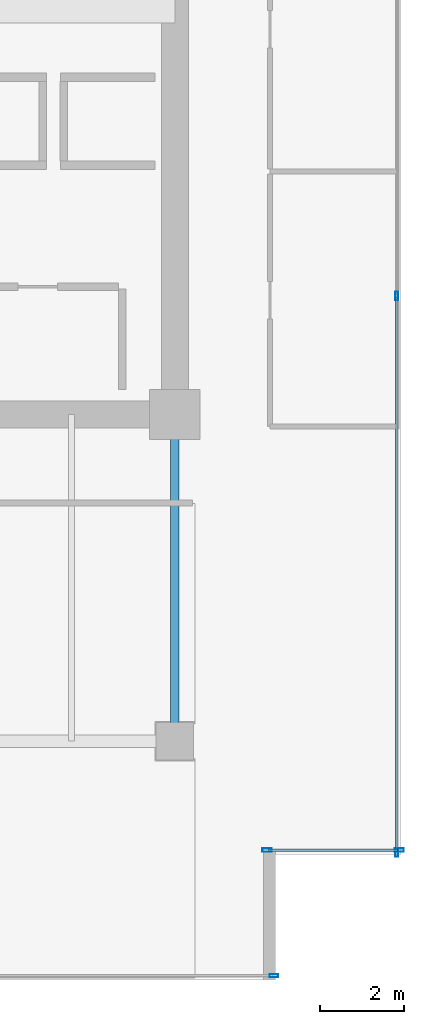
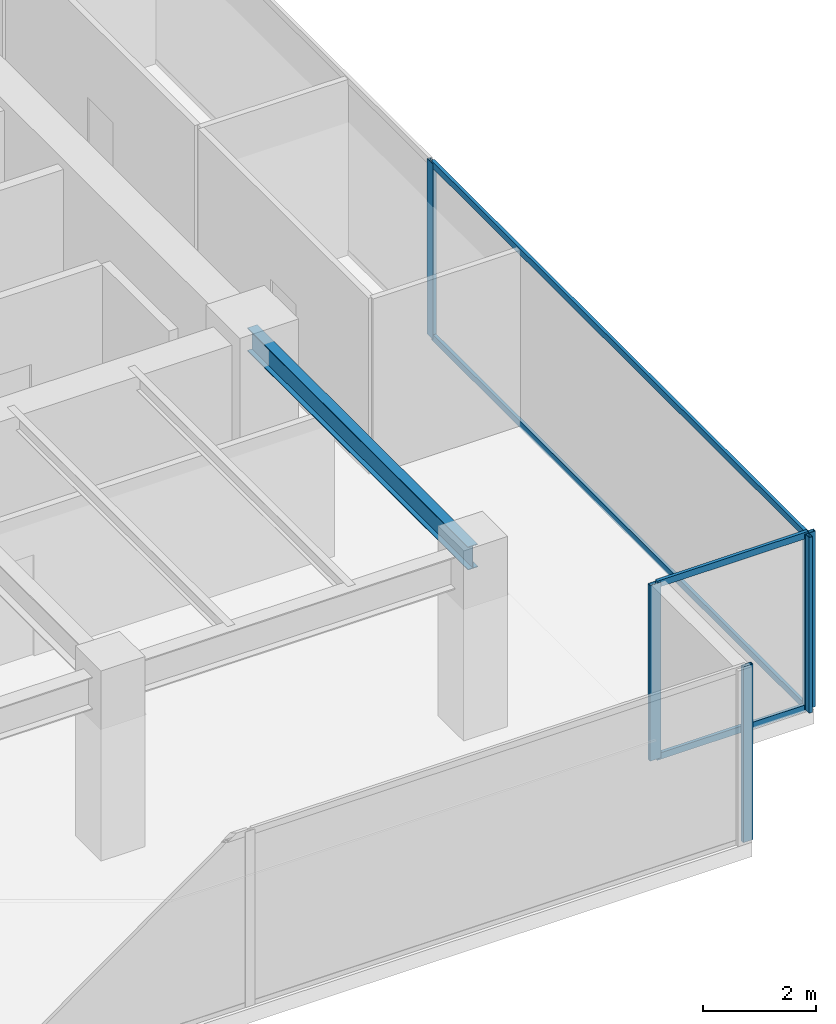
# One storey, part 21 of 33: 9 members, 1 beam, 3 elements without a shape of their own.
"""IFC4 building model written with IfcOpenShell, lengths in metres."""

from ifc_helpers import new_model, si_unit, direction, frame, origin, origin_2d, place, context, subcontext, project, spatial, hollow_rectangle, i_section, extrude, source, transform, mapped, material, layer, layer_set, material_profile, profile_set, type_object, type_shapes, element, aggregate, save


model = new_model("IFC4")

# Units and contexts
model_context = context("Model", 3, precision=1e-05, world=origin(), true_north=direction((0.0, 1.0)))
body_context = subcontext(model_context, "Body", "Model", "MODEL_VIEW")
ifc_project = project(units=[si_unit("LENGTHUNIT", "METRE"), si_unit("AREAUNIT", "SQUARE_METRE"), si_unit("VOLUMEUNIT", "CUBIC_METRE"), si_unit("PLANEANGLEUNIT", "RADIAN"), si_unit("MASSUNIT", "GRAM", prefix="KILO")], contexts=[model_context])

# Site, building, storey
site_placement = place(None, origin())
site = spatial("IfcSite", under=ifc_project, at=site_placement, CompositionType="ELEMENT")
building_placement = place(site_placement, origin())
building = spatial("IfcBuilding", under=site, at=building_placement, Name="Haelvirn Gate Laboratories", CompositionType="ELEMENT")
storey_placement = place(building_placement, frame((0.0, 0.0, 117.39990234375)))
storey = spatial("IfcBuildingStorey", under=building, at=storey_placement, Name="L28", CompositionType="ELEMENT", Elevation=117.39990234375)

# Beam
ifc_material_1 = material(Name="Steel SM355", Category="steel")
ifc_material_profile_1 = material_profile(ifc_material_1, i_section(OverallWidth=0.199951171875, OverallDepth=0.5, WebThickness=0.010009765625, FlangeThickness=0.01611328125, at=origin_2d()), Name="H-500x200x10x16")
ifc_profile_set_1 = profile_set([ifc_material_profile_1], Name="Steel SM355")
beam_type = type_object("IfcBeamType", Name="BM-SP-500", PredefinedType="SPANDREL", material=ifc_profile_set_1)
shared_shape_1 = source(origin(), body_context, "Body", "SweptSolid", [
    extrude(i_section(OverallWidth=0.199951171875, OverallDepth=0.5, WebThickness=0.010009765625, FlangeThickness=0.01611328125, at=origin_2d()), origin(), (0.0, 0.0, 1.0), 7.800048828125),
])
type_shapes(beam_type, [shared_shape_1])
beam_placement = place(storey_placement, frame((67.39990234375, 7.0, 3.5400390625), z_axis=(0.0, 1.0, 0.0), x_axis=(-1.0, 0.0, 0.0)))
element("IfcBeam", 1, at=beam_placement, inside=storey, type_object=beam_type, Name="L28 Perimeter Spandrel X67.4 (7.0-14.8)", PredefinedType="SPANDREL", context=body_context, shape_type="MappedRepresentation", body=[
    mapped(shared_shape_1, transform((0.0, 0.0, 0.0), scale=1.0)),
])

# Curtain wall, members
ifc_material_2 = material(Name="Anodised bronze unitised aluminium & triple low-E glass", Category="aluminium")
ifc_layer_1 = layer(ifc_material_2, 0.181884765625, Name="CW-SYS-5")
ifc_layer_set_1 = layer_set([ifc_layer_1], Name="Anodised bronze unitised aluminium & triple low-E glass")
curtain_wall_type_1 = type_object("IfcCurtainWallType", Name="CW-SYS-5", PredefinedType="NOTDEFINED", material=ifc_layer_set_1)
curtain_wall_1_placement = place(storey_placement, origin())
curtain_wall_1 = element("IfcCurtainWall", 2, at=curtain_wall_1_placement, inside=storey, type_object=curtain_wall_type_1, Name="L28 Unitised Curtain Wall CW-L28-P0-E06-1", PredefinedType="NOTDEFINED")
ifc_material_3 = material(Name="Extruded aluminium 6063-T6 (anodised bronze)", Category="aluminium")
ifc_material_profile_2 = material_profile(ifc_material_3, hollow_rectangle(XDim=0.06494140625, YDim=0.139892578125, WallThickness=0.00390625, at=origin_2d()), Name="CWT-140x65x4")
ifc_profile_set_2 = profile_set([ifc_material_profile_2], Name="Extruded aluminium 6063-T6 (anodised bronze)")
member_type_1 = type_object("IfcMemberType", Name="CWT-T140", PredefinedType="USERDEFINED", material=ifc_profile_set_2)
shared_shape_2 = source(origin(), body_context, "Body", "SweptSolid", [
    extrude(hollow_rectangle(XDim=0.06494140625, YDim=0.139892578125, WallThickness=0.00390625, at=origin_2d()), origin(), (0.0, 0.0, 1.0), 3.080078125),
])
member_1_placement = place(storey_placement, frame((69.639892578125, 4.39990234375, 0.03271484375), z_axis=(1.0, 0.0, 0.0), x_axis=(0.0, 1.0, 0.0)))
member_1 = element("IfcMember", 3, at=member_1_placement, type_object=member_type_1, Name="CW5 transom 1.1", ObjectType="TRANSOM", PredefinedType="USERDEFINED", context=body_context, shape_type="MappedRepresentation", body=[
    mapped(shared_shape_2, transform((0.0, 0.0, 0.0), scale=1.0)),
])
member_2_placement = place(storey_placement, frame((69.639892578125, 4.39990234375, 3.757568359375), z_axis=(1.0, 0.0, 0.0), x_axis=(0.0, 1.0, 0.0)))
member_2 = element("IfcMember", 4, at=member_2_placement, type_object=member_type_1, Name="CW5 transom 1.2", ObjectType="TRANSOM", PredefinedType="USERDEFINED", context=body_context, shape_type="MappedRepresentation", body=[
    mapped(shared_shape_2, transform((0.0, 0.0, 0.0), scale=1.0)),
])

ifc_layer_2 = layer(ifc_material_2, 0.179931640625, Name="CW-SYS-3")
ifc_layer_set_2 = layer_set([ifc_layer_2], Name="Anodised bronze unitised aluminium & triple low-E glass")
curtain_wall_type_2 = type_object("IfcCurtainWallType", Name="CW-SYS-3", PredefinedType="NOTDEFINED", material=ifc_layer_set_2)
curtain_wall_2_placement = place(storey_placement, origin())
curtain_wall_2 = element("IfcCurtainWall", 5, at=curtain_wall_2_placement, inside=storey, type_object=curtain_wall_type_2, Name="L28 Unitised Curtain Wall CW-L28-P0-E07", PredefinedType="NOTDEFINED")
shared_shape_3 = source(origin(), body_context, "Body", "SweptSolid", [
    extrude(hollow_rectangle(XDim=0.06494140625, YDim=0.139892578125, WallThickness=0.00390625, at=origin_2d()), origin(), (0.0, 0.0, 1.0), 13.220947265625),
])
type_shapes(member_type_1, [shared_shape_2, shared_shape_3])
member_3_placement = place(storey_placement, frame((72.699951171875, 4.375, 0.03271484375), z_axis=(0.0, 1.0, 0.0), x_axis=(-1.0, 0.0, 0.0)))
member_3 = element("IfcMember", 6, at=member_3_placement, type_object=member_type_1, Name="CW3 transom 1.1", ObjectType="TRANSOM", PredefinedType="USERDEFINED", context=body_context, shape_type="MappedRepresentation", body=[
    mapped(shared_shape_3, transform((0.0, 0.0, 0.0), scale=1.0)),
])
member_4_placement = place(storey_placement, frame((72.699951171875, 4.375, 3.757568359375), z_axis=(0.0, 1.0, 0.0), x_axis=(-1.0, 0.0, 0.0)))
member_4 = element("IfcMember", 7, at=member_4_placement, type_object=member_type_1, Name="CW3 transom 1.2", ObjectType="TRANSOM", PredefinedType="USERDEFINED", context=body_context, shape_type="MappedRepresentation", body=[
    mapped(shared_shape_3, transform((0.0, 0.0, 0.0), scale=1.0)),
])

# Curtain wall, member
curtain_wall_3_placement = place(storey_placement, origin())
curtain_wall_3 = element("IfcCurtainWall", 8, at=curtain_wall_3_placement, inside=storey, type_object=curtain_wall_type_2, Name="L28 Unitised Curtain Wall CW-L28-P0-E04-1", PredefinedType="NOTDEFINED")
ifc_material_profile_3 = material_profile(ifc_material_3, hollow_rectangle(XDim=0.074951171875, YDim=0.199951171875, WallThickness=0.0048828125, at=origin_2d()), Name="CWM-200x75x5")
ifc_profile_set_3 = profile_set([ifc_material_profile_3], Name="Extruded aluminium 6063-T6 (anodised bronze)")
member_type_2 = type_object("IfcMemberType", Name="CWM-T200", PredefinedType="MULLION", material=ifc_profile_set_3)
shared_shape_4 = source(origin(), body_context, "Body", "SweptSolid", [
    extrude(hollow_rectangle(XDim=0.074951171875, YDim=0.199951171875, WallThickness=0.0048828125, at=origin_2d()), origin(), (0.0, 0.0, 1.0), 3.7900390625),
])
type_shapes(member_type_2, [shared_shape_4])
member_5_placement = place(storey_placement, frame((69.762451171875, 1.39990234375, 0.0), z_axis=(0.0, 0.0, 1.0), x_axis=(0.0, 1.0, 0.0)))
member_5 = element("IfcMember", 9, at=member_5_placement, type_object=member_type_2, Name="CW3 mullion 3", PredefinedType="MULLION", context=body_context, shape_type="MappedRepresentation", body=[
    mapped(shared_shape_4, transform((0.0, 0.0, 0.0), scale=1.0)),
])
aggregate(curtain_wall_3, [member_5])

# Member
member_6_placement = place(storey_placement, frame((72.699951171875, 4.33740234375, 0.0), z_axis=(0.0, 0.0, 1.0), x_axis=(-1.0, 0.0, 0.0)))
member_6 = element("IfcMember", 10, at=member_6_placement, type_object=member_type_2, Name="CW3 mullion 1", PredefinedType="MULLION", context=body_context, shape_type="MappedRepresentation", body=[
    mapped(shared_shape_4, transform((0.0, 0.0, 0.0), scale=1.0)),
])

member_7_placement = place(storey_placement, frame((72.699951171875, 17.63330078125, 0.0), z_axis=(0.0, 0.0, 1.0), x_axis=(-1.0, 0.0, 0.0)))
member_7 = element("IfcMember", 11, at=member_7_placement, type_object=member_type_2, Name="CW3 mullion 2", PredefinedType="MULLION", context=body_context, shape_type="MappedRepresentation", body=[
    mapped(shared_shape_4, transform((0.0, 0.0, 0.0), scale=1.0)),
])

aggregate(curtain_wall_2, [member_6, member_7, member_3, member_4])

ifc_material_profile_4 = material_profile(ifc_material_3, hollow_rectangle(XDim=0.080078125, YDim=0.219970703125, WallThickness=0.006103515625, at=origin_2d()), Name="CWM-220x80x6")
ifc_profile_set_4 = profile_set([ifc_material_profile_4], Name="Extruded aluminium 6063-T6 (anodised bronze)")
member_type_3 = type_object("IfcMemberType", Name="CWM-T220", PredefinedType="MULLION", material=ifc_profile_set_4)
shared_shape_5 = source(origin(), body_context, "Body", "SweptSolid", [
    extrude(hollow_rectangle(XDim=0.080078125, YDim=0.219970703125, WallThickness=0.006103515625, at=origin_2d()), origin(), (0.0, 0.0, 1.0), 3.7900390625),
])
type_shapes(member_type_3, [shared_shape_5])
member_8_placement = place(storey_placement, frame((69.60009765625, 4.39990234375, 0.0), z_axis=(0.0, 0.0, 1.0), x_axis=(0.0, 1.0, 0.0)))
member_8 = element("IfcMember", 12, at=member_8_placement, type_object=member_type_3, Name="CW5 mullion 1", PredefinedType="MULLION", context=body_context, shape_type="MappedRepresentation", body=[
    mapped(shared_shape_5, transform((0.0, 0.0, 0.0), scale=1.0)),
])

member_9_placement = place(storey_placement, frame((72.760009765625, 4.39990234375, 0.0), z_axis=(0.0, 0.0, 1.0), x_axis=(0.0, 1.0, 0.0)))
member_9 = element("IfcMember", 13, at=member_9_placement, type_object=member_type_3, Name="CW5 mullion 2", PredefinedType="MULLION", context=body_context, shape_type="MappedRepresentation", body=[
    mapped(shared_shape_5, transform((0.0, 0.0, 0.0), scale=1.0)),
])

aggregate(curtain_wall_1, [member_8, member_9, member_1, member_2])

save(model, "model.ifc")
